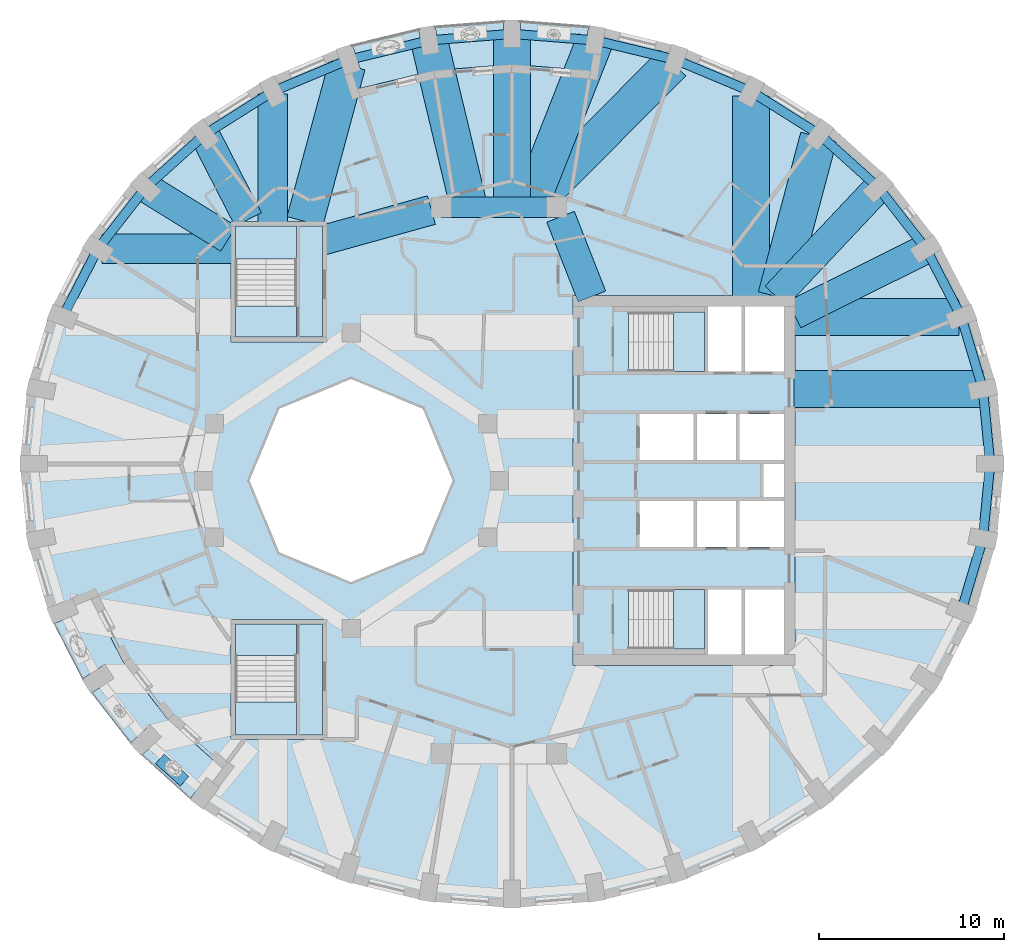
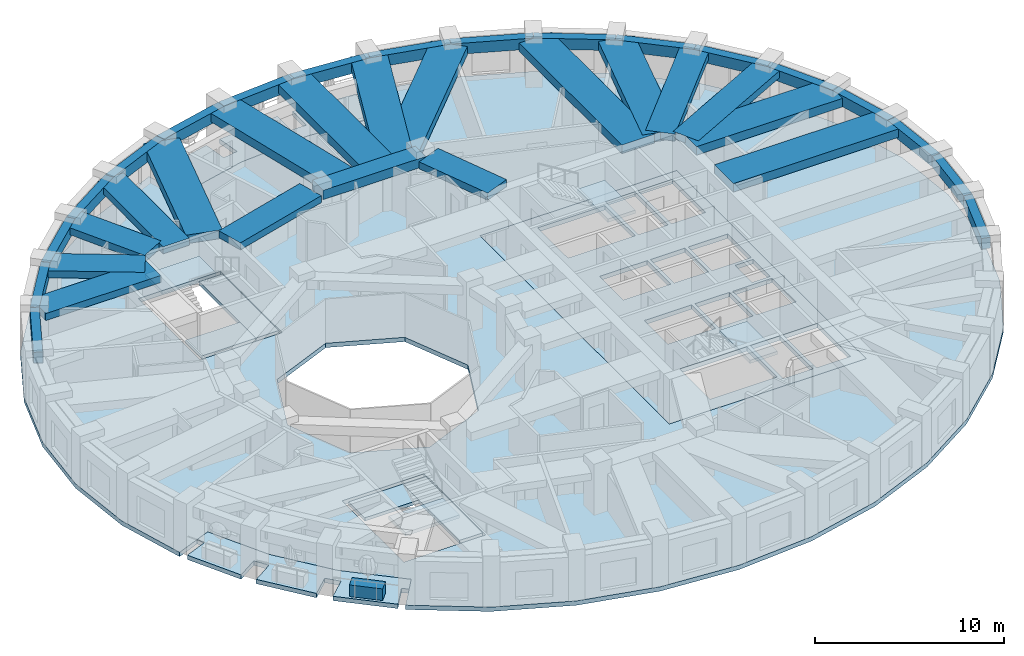
# One storey, part 2 of 12: 36 beams, 12 slabs, 1 wall, 4 elements without a shape of their own.
"""IFC4 building model written with IfcOpenShell, lengths in metres."""

from ifc_helpers import new_model, si_unit, direction, frame, frame_2d, origin, origin_2d, place, context, subcontext, project, spatial, polyline, rectangle, outline, extrude, material, layer, layer_set, constituent, constituent_set, material_profile, profile_set, type_object, element, aggregate, save


model = new_model("IFC4")

# Units and contexts
model_context = context("Model", 3, precision=1e-05, world=origin(), true_north=direction((0.0, 1.0)))
body_context = subcontext(model_context, "Body", "Model", "MODEL_VIEW")
ifc_project = project(units=[si_unit("LENGTHUNIT", "METRE"), si_unit("AREAUNIT", "SQUARE_METRE"), si_unit("VOLUMEUNIT", "CUBIC_METRE"), si_unit("PLANEANGLEUNIT", "RADIAN"), si_unit("MASSUNIT", "GRAM", prefix="KILO")], contexts=[model_context])

# Site, building, storey
site_placement = place(None, origin())
site = spatial("IfcSite", under=ifc_project, at=site_placement, CompositionType="ELEMENT")
building_placement = place(site_placement, origin())
building = spatial("IfcBuilding", under=site, at=building_placement, Name="Taillehof Tower", CompositionType="ELEMENT")
storey_placement = place(building_placement, frame((0.0, 0.0, 225.5)))
storey = spatial("IfcBuildingStorey", under=building, at=storey_placement, Name="L64", CompositionType="ELEMENT", Elevation=225.5)

# Beams
ifc_material_1 = material(Name="Concrete C50/60", Category="concrete")
ifc_material_profile_1 = material_profile(ifc_material_1, rectangle(XDim=1.10009765625, YDim=0.60009765625, at=origin_2d()), Name="RC 1100x600")
ifc_profile_set_1 = profile_set([ifc_material_profile_1], Name="Concrete C50/60")
beam_type_1 = type_object("IfcBeamType", Name="Mid-ring beam C50/60 1100x600", PredefinedType="BEAM", material=ifc_profile_set_1)
beam_1_placement = place(storey_placement, frame((3.125732421875, 14.772216796875, 2.550048828125), z_axis=(-1.0, 0.0, 0.0), x_axis=(0.0, -1.0, 0.0)))
element("IfcBeam", 1, at=beam_1_placement, inside=storey, type_object=beam_type_1, Name="Mid-ring beam MB01", PredefinedType="BEAM", context=body_context, shape_type="SweptSolid", body=[
    extrude(rectangle(XDim=1.10009765625, YDim=0.60009765625, at=origin_2d()), origin(), (0.0, 0.0, 1.0), 6.25146484375),
])
ifc_material_2 = material(Name="Concrete C50/60", Category="concrete")
ifc_material_profile_2 = material_profile(ifc_material_2, rectangle(XDim=1.60009765625, YDim=0.449951171875, at=origin_2d()), Name="RC 1600x450")
ifc_profile_set_2 = profile_set([ifc_material_profile_2], Name="Concrete C50/60")
beam_type_2 = type_object("IfcBeamType", Name="Radial band beam C50/60 1600x450", PredefinedType="BEAM", material=ifc_profile_set_2)
beam_2_placement = place(storey_placement, frame((23.086669921875, 12.52490234375, 2.625), z_axis=(-0.895357082848, -0.445348957778, 0.0), x_axis=(0.445348957778, -0.895357082848, 0.0)))
element("IfcBeam", 2, at=beam_2_placement, inside=storey, type_object=beam_type_2, Name="Radial band beam RB04", PredefinedType="BEAM", context=body_context, shape_type="SweptSolid", body=[
    extrude(rectangle(XDim=1.60009765625, YDim=0.449951171875, at=origin_2d()), origin(), (0.0, 0.0, 1.0), 7.96484375),
])
beam_3_placement = place(storey_placement, frame((20.502197265625, 15.8447265625, 2.625), z_axis=(-0.685451470964, -0.728118315217, 0.0), x_axis=(0.728118315217, -0.685451470964, 0.0)))
element("IfcBeam", 3, at=beam_3_placement, inside=storey, type_object=beam_type_2, Name="Radial band beam RB05", PredefinedType="BEAM", context=body_context, shape_type="SweptSolid", body=[
    extrude(rectangle(XDim=1.60009765625, YDim=0.449951171875, at=origin_2d()), origin(), (0.0, 0.0, 1.0), 8.07373046875),
])
beam_4_placement = place(storey_placement, frame((-12.22509765625, 20.9013671875, 2.625), z_axis=(0.0, -1.0, 0.0), x_axis=(1.0, 0.0, 0.0)))
element("IfcBeam", 4, at=beam_4_placement, inside=storey, type_object=beam_type_2, Name="Radial band beam RB13", PredefinedType="BEAM", context=body_context, shape_type="SweptSolid", body=[
    extrude(rectangle(XDim=1.60009765625, YDim=0.449951171875, at=origin_2d()), origin(), (0.0, 0.0, 1.0), 6.951416015625),
])
beam_5_placement = place(storey_placement, frame((-15.916015625, 18.71044921875, 2.625), z_axis=(0.456360793517, -0.889794822496, 0.0), x_axis=(0.889794822496, 0.456360793517, 0.0)))
element("IfcBeam", 5, at=beam_5_placement, inside=storey, type_object=beam_type_2, Name="Radial band beam RB14", PredefinedType="BEAM", context=body_context, shape_type="SweptSolid", body=[
    extrude(rectangle(XDim=1.60009765625, YDim=0.449951171875, at=origin_2d()), origin(), (0.0, 0.0, 1.0), 5.16455078125),
])
beam_6_placement = place(storey_placement, frame((-19.102294921875, 15.8447265625, 2.625), z_axis=(0.850616081395, -0.525787297366, 0.0), x_axis=(0.525787297366, 0.850616081395, 0.0)))
element("IfcBeam", 6, at=beam_6_placement, inside=storey, type_object=beam_type_2, Name="Radial band beam RB15", PredefinedType="BEAM", context=body_context, shape_type="SweptSolid", body=[
    extrude(rectangle(XDim=1.60009765625, YDim=0.449951171875, at=origin_2d()), origin(), (0.0, 0.0, 1.0), 5.260498046875),
])
beam_7_placement = place(storey_placement, frame((-21.47021484375, 12.52490234375, 2.625), z_axis=(1.0, 0.0, 0.0), x_axis=(0.0, 1.0, 0.0)))
element("IfcBeam", 7, at=beam_7_placement, inside=storey, type_object=beam_type_2, Name="Radial band beam RB16", PredefinedType="BEAM", context=body_context, shape_type="SweptSolid", body=[
    extrude(rectangle(XDim=1.60009765625, YDim=0.449951171875, at=origin_2d()), origin(), (0.0, 0.0, 1.0), 7.020263671875),
])
beam_8_placement = place(storey_placement, frame((3.32666015625, 14.26025390625, 2.625), z_axis=(0.365588707223, -0.930776502255, 0.0), x_axis=(0.930776502255, 0.365588707223, 0.0)))
element("IfcBeam", 8, at=beam_8_placement, inside=storey, type_object=beam_type_2, Name="Inner band beam IB205", PredefinedType="BEAM", context=body_context, shape_type="SweptSolid", body=[
    extrude(rectangle(XDim=1.60009765625, YDim=0.449951171875, at=origin_2d()), origin(), (0.0, 0.0, 1.0), 4.627197265625),
])
beam_9_placement = place(storey_placement, frame((-3.655517578125, 14.624755859375, 2.625), z_axis=(-0.963459369536, -0.267854518821, 0.0), x_axis=(0.267854518821, -0.963459369536, 0.0)))
element("IfcBeam", 9, at=beam_9_placement, inside=storey, type_object=beam_type_2, Name="Inner band beam IB206", PredefinedType="BEAM", context=body_context, shape_type="SweptSolid", body=[
    extrude(rectangle(XDim=1.60009765625, YDim=0.449951171875, at=origin_2d()), origin(), (0.0, 0.0, 1.0), 6.096923828125),
])
ifc_material_3 = material(Name="Concrete C50/60", Category="concrete")
ifc_material_profile_3 = material_profile(ifc_material_3, rectangle(XDim=2.0, YDim=0.550048828125, at=origin_2d()), Name="RC 2000x550")
ifc_profile_set_3 = profile_set([ifc_material_profile_3], Name="Concrete C50/60")
beam_type_3 = type_object("IfcBeamType", Name="Radial band beam C50/60 2000x550", PredefinedType="BEAM", material=ifc_profile_set_3)
beam_10_placement = place(storey_placement, frame((26.1572265625, 4.937255859375, 2.574951171875), z_axis=(-1.0, 0.0, 0.0), x_axis=(0.0, -1.0, 0.0)))
element("IfcBeam", 10, at=beam_10_placement, inside=storey, type_object=beam_type_3, Name="Radial band beam RB02", PredefinedType="BEAM", context=body_context, shape_type="SweptSolid", body=[
    extrude(rectangle(XDim=2.0, YDim=0.550048828125, at=origin_2d()), origin(), (0.0, 0.0, 1.0), 10.207275390625),
])
beam_11_placement = place(storey_placement, frame((24.856201171875, 8.85205078125, 2.574951171875), z_axis=(-1.0, 0.0, 0.0), x_axis=(0.0, -1.0, 0.0)))
element("IfcBeam", 11, at=beam_11_placement, inside=storey, type_object=beam_type_3, Name="Radial band beam RB03", PredefinedType="BEAM", context=body_context, shape_type="SweptSolid", body=[
    extrude(rectangle(XDim=2.0, YDim=0.550048828125, at=origin_2d()), origin(), (0.0, 0.0, 1.0), 8.90625),
])
beam_12_placement = place(storey_placement, frame((17.28076171875, 18.577880859375, 2.574951171875), z_axis=(-0.256969711091, -0.966419457369, 0.0), x_axis=(0.966419457369, -0.256969711091, 0.0)))
element("IfcBeam", 12, at=beam_12_placement, inside=storey, type_object=beam_type_3, Name="Radial band beam RB06", PredefinedType="BEAM", context=body_context, shape_type="SweptSolid", body=[
    extrude(rectangle(XDim=2.0, YDim=0.550048828125, at=origin_2d()), origin(), (0.0, 0.0, 1.0), 8.926025390625),
])
beam_13_placement = place(storey_placement, frame((13.625, 20.797607421875, 2.574951171875), z_axis=(0.0, -1.0, 0.0), x_axis=(1.0, 0.0, 0.0)))
element("IfcBeam", 13, at=beam_13_placement, inside=storey, type_object=beam_type_3, Name="Radial band beam RB07", PredefinedType="BEAM", context=body_context, shape_type="SweptSolid", body=[
    extrude(rectangle(XDim=2.0, YDim=0.550048828125, at=origin_2d()), origin(), (0.0, 0.0, 1.0), 10.84765625),
])
beam_14_placement = place(storey_placement, frame((9.384765625, 22.590087890625, 2.574951171875), z_axis=(-0.704433609475, -0.709769885133, 0.0), x_axis=(0.709769885133, -0.704433609475, 0.0)))
element("IfcBeam", 14, at=beam_14_placement, inside=storey, type_object=beam_type_3, Name="Radial band beam RB08", PredefinedType="BEAM", context=body_context, shape_type="SweptSolid", body=[
    extrude(rectangle(XDim=2.0, YDim=0.550048828125, at=origin_2d()), origin(), (0.0, 0.0, 1.0), 10.79736328125),
])
beam_15_placement = place(storey_placement, frame((5.188720703125, 23.796875, 2.574951171875), z_axis=(-0.367222105753, -0.930133283485, 0.0), x_axis=(0.930133283485, -0.367222105753, 0.0)))
element("IfcBeam", 15, at=beam_15_placement, inside=storey, type_object=beam_type_3, Name="Radial band beam RB09", PredefinedType="BEAM", context=body_context, shape_type="SweptSolid", body=[
    extrude(rectangle(XDim=2.0, YDim=0.550048828125, at=origin_2d()), origin(), (0.0, 0.0, 1.0), 9.70263671875),
])
beam_16_placement = place(storey_placement, frame((0.699951171875, 24.14990234375, 2.574951171875), z_axis=(0.0, -1.0, 0.0), x_axis=(1.0, 0.0, 0.0)))
element("IfcBeam", 16, at=beam_16_placement, inside=storey, type_object=beam_type_3, Name="Radial band beam RB10", PredefinedType="BEAM", context=body_context, shape_type="SweptSolid", body=[
    extrude(rectangle(XDim=2.0, YDim=0.550048828125, at=origin_2d()), origin(), (0.0, 0.0, 1.0), 9.377685546875),
])
beam_17_placement = place(storey_placement, frame((-3.788818359375, 23.796875, 2.574951171875), z_axis=(0.233084395558, -0.972456510363, 0.0), x_axis=(0.972456510363, 0.233084395558, 0.0)))
element("IfcBeam", 17, at=beam_17_placement, inside=storey, type_object=beam_type_3, Name="Radial band beam RB11", PredefinedType="BEAM", context=body_context, shape_type="SweptSolid", body=[
    extrude(rectangle(XDim=2.0, YDim=0.550048828125, at=origin_2d()), origin(), (0.0, 0.0, 1.0), 9.2802734375),
])
beam_18_placement = place(storey_placement, frame((-8.2177734375, 22.464111328125, 2.574951171875), z_axis=(-0.260346436551, -0.965515268121, 0.0), x_axis=(0.965515268121, -0.260346436551, 0.0)))
element("IfcBeam", 18, at=beam_18_placement, inside=storey, type_object=beam_type_3, Name="Radial band beam RB12", PredefinedType="BEAM", context=body_context, shape_type="SweptSolid", body=[
    extrude(rectangle(XDim=2.0, YDim=0.550048828125, at=origin_2d()), origin(), (0.0, 0.0, 1.0), 8.755859375),
])
ifc_material_4 = material(Name="Concrete C50/60", Category="concrete")
ifc_material_profile_4 = material_profile(ifc_material_4, rectangle(XDim=0.5, YDim=0.699951171875, at=origin_2d()), Name="RC 500x700")
ifc_profile_set_4 = profile_set([ifc_material_profile_4], Name="Concrete C50/60")
beam_type_4 = type_object("IfcBeamType", Name="Spandrel beam C50/60 500x700", PredefinedType="SPANDREL", material=ifc_profile_set_4)
beam_19_placement = place(storey_placement, frame((26.550048828125, 0.89990234375, 2.5), z_axis=(-0.096839674059, 0.995299993735, 0.0), x_axis=(-0.995299993735, -0.096839674059, 0.0)))
element("IfcBeam", 19, at=beam_19_placement, inside=storey, type_object=beam_type_4, Name="Spandrel beam SB01", PredefinedType="SPANDREL", context=body_context, shape_type="SweptSolid", body=[
    extrude(rectangle(XDim=0.5, YDim=0.699951171875, at=origin_2d()), origin(), (0.0, 0.0, 1.0), 4.056396484375),
])
beam_20_placement = place(storey_placement, frame((26.1572265625, 4.937255859375, 2.5), z_axis=(-0.285510458946, 0.9583755933, 0.0), x_axis=(-0.9583755933, -0.285510458946, 0.0)))
element("IfcBeam", 20, at=beam_20_placement, inside=storey, type_object=beam_type_4, Name="Spandrel beam SB02", PredefinedType="SPANDREL", context=body_context, shape_type="SweptSolid", body=[
    extrude(rectangle(XDim=0.5, YDim=0.699951171875, at=origin_2d()), origin(), (0.0, 0.0, 1.0), 4.084716796875),
])
beam_21_placement = place(storey_placement, frame((24.990966796875, 8.85205078125, 2.5), z_axis=(-0.460289604274, 0.887768821371, 0.0), x_axis=(-0.887768821371, -0.460289604274, 0.0)))
element("IfcBeam", 21, at=beam_21_placement, inside=storey, type_object=beam_type_4, Name="Spandrel beam SB03", PredefinedType="SPANDREL", context=body_context, shape_type="SweptSolid", body=[
    extrude(rectangle(XDim=0.5, YDim=0.699951171875, at=origin_2d()), origin(), (0.0, 0.0, 1.0), 4.13720703125),
])
beam_22_placement = place(storey_placement, frame((23.086669921875, 12.52490234375, 2.5), z_axis=(-0.614294081938, 0.789077170432, 0.0), x_axis=(-0.789077170432, -0.614294081938, 0.0)))
element("IfcBeam", 22, at=beam_22_placement, inside=storey, type_object=beam_type_4, Name="Spandrel beam SB04", PredefinedType="SPANDREL", context=body_context, shape_type="SweptSolid", body=[
    extrude(rectangle(XDim=0.5, YDim=0.699951171875, at=origin_2d()), origin(), (0.0, 0.0, 1.0), 4.207275390625),
])
beam_23_placement = place(storey_placement, frame((20.502197265625, 15.8447265625, 2.5), z_axis=(-0.743492416006, 0.668744366213, 0.0), x_axis=(-0.668744366213, -0.743492416006, 0.0)))
element("IfcBeam", 23, at=beam_23_placement, inside=storey, type_object=beam_type_4, Name="Spandrel beam SB05", PredefinedType="SPANDREL", context=body_context, shape_type="SweptSolid", body=[
    extrude(rectangle(XDim=0.5, YDim=0.699951171875, at=origin_2d()), origin(), (0.0, 0.0, 1.0), 4.28515625),
])
beam_24_placement = place(storey_placement, frame((17.316162109375, 18.71044921875, 2.5), z_axis=(-0.846166475687, 0.532918657417, 0.0), x_axis=(-0.532918657417, -0.846166475687, 0.0)))
element("IfcBeam", 24, at=beam_24_placement, inside=storey, type_object=beam_type_4, Name="Spandrel beam SB06", PredefinedType="SPANDREL", context=body_context, shape_type="SweptSolid", body=[
    extrude(rectangle(XDim=0.5, YDim=0.699951171875, at=origin_2d()), origin(), (0.0, 0.0, 1.0), 4.3623046875),
])
beam_25_placement = place(storey_placement, frame((13.625, 21.03515625, 2.5), z_axis=(-0.92218550199, 0.386747850569, 0.0), x_axis=(-0.386747850569, -0.92218550199, 0.0)))
element("IfcBeam", 25, at=beam_25_placement, inside=storey, type_object=beam_type_4, Name="Spandrel beam SB07", PredefinedType="SPANDREL", context=body_context, shape_type="SweptSolid", body=[
    extrude(rectangle(XDim=0.5, YDim=0.699951171875, at=origin_2d()), origin(), (0.0, 0.0, 1.0), 4.42822265625),
])
beam_26_placement = place(storey_placement, frame((9.541259765625, 22.747802734375, 2.5), z_axis=(-0.972160640613, 0.234315361943, 0.0), x_axis=(-0.234315361943, -0.972160640613, 0.0)))
element("IfcBeam", 26, at=beam_26_placement, inside=storey, type_object=beam_type_4, Name="Spandrel beam SB08", PredefinedType="SPANDREL", context=body_context, shape_type="SweptSolid", body=[
    extrude(rectangle(XDim=0.5, YDim=0.699951171875, at=origin_2d()), origin(), (0.0, 0.0, 1.0), 4.477294921875),
])
for number, where, z_axis, x_axis, name in (
    (27, (5.188720703125, 23.796875, 2.5), (-0.996921613963, 0.078404691275, 0.0), (-0.078404691275, -0.996921613963, 0.0), "Spandrel beam SB09"),
    (28, (0.699951171875, 24.14990234375, 2.5), (-0.996921613963, -0.078404691275, 0.0), (0.078404691275, -0.996921613963, 0.0), "Spandrel beam SB10"),
):
    element("IfcBeam", number, at=place(storey_placement, frame(where, z_axis=z_axis, x_axis=x_axis)), inside=storey, type_object=beam_type_4, Name=name, PredefinedType="SPANDREL", context=body_context, shape_type="SweptSolid", body=[
        extrude(rectangle(XDim=0.5, YDim=0.699951171875, at=origin_2d()), origin(), (0.0, 0.0, 1.0), 4.502685546875),
    ])
beam_27_placement = place(storey_placement, frame((-3.788818359375, 23.796875, 2.5), z_axis=(-0.972157646478, -0.234327784087, 0.0), x_axis=(0.234327784087, -0.972157646478, 0.0)))
element("IfcBeam", 29, at=beam_27_placement, inside=storey, type_object=beam_type_4, Name="Spandrel beam SB11", PredefinedType="SPANDREL", context=body_context, shape_type="SweptSolid", body=[
    extrude(rectangle(XDim=0.5, YDim=0.699951171875, at=origin_2d()), origin(), (0.0, 0.0, 1.0), 4.47705078125),
])
beam_28_placement = place(storey_placement, frame((-8.14111328125, 22.747802734375, 2.5), z_axis=(-0.922193747603, -0.386728188632, 0.0), x_axis=(0.386728188632, -0.922193747603, 0.0)))
element("IfcBeam", 30, at=beam_28_placement, inside=storey, type_object=beam_type_4, Name="Spandrel beam SB12", PredefinedType="SPANDREL", context=body_context, shape_type="SweptSolid", body=[
    extrude(rectangle(XDim=0.5, YDim=0.699951171875, at=origin_2d()), origin(), (0.0, 0.0, 1.0), 4.428466796875),
])
beam_29_placement = place(storey_placement, frame((-12.22509765625, 21.03515625, 2.5), z_axis=(-0.846150579775, -0.532943896059, 0.0), x_axis=(0.532943896059, -0.846150579775, 0.0)))
element("IfcBeam", 31, at=beam_29_placement, inside=storey, type_object=beam_type_4, Name="Spandrel beam SB13", PredefinedType="SPANDREL", context=body_context, shape_type="SweptSolid", body=[
    extrude(rectangle(XDim=0.5, YDim=0.699951171875, at=origin_2d()), origin(), (0.0, 0.0, 1.0), 4.362060546875),
])
beam_30_placement = place(storey_placement, frame((-15.916015625, 18.71044921875, 2.5), z_axis=(-0.743517893617, -0.668716039789, 0.0), x_axis=(0.668716039789, -0.743517893617, 0.0)))
element("IfcBeam", 32, at=beam_30_placement, inside=storey, type_object=beam_type_4, Name="Spandrel beam SB14", PredefinedType="SPANDREL", context=body_context, shape_type="SweptSolid", body=[
    extrude(rectangle(XDim=0.5, YDim=0.699951171875, at=origin_2d()), origin(), (0.0, 0.0, 1.0), 4.285400390625),
])
beam_31_placement = place(storey_placement, frame((-19.102294921875, 15.8447265625, 2.5), z_axis=(-0.614294081938, -0.789077170432, 0.0), x_axis=(0.789077170432, -0.614294081938, 0.0)))
element("IfcBeam", 33, at=beam_31_placement, inside=storey, type_object=beam_type_4, Name="Spandrel beam SB15", PredefinedType="SPANDREL", context=body_context, shape_type="SweptSolid", body=[
    extrude(rectangle(XDim=0.5, YDim=0.699951171875, at=origin_2d()), origin(), (0.0, 0.0, 1.0), 4.207275390625),
])
beam_32_placement = place(storey_placement, frame((-21.686767578125, 12.52490234375, 2.5), z_axis=(-0.460289604274, -0.887768821371, 0.0), x_axis=(0.887768821371, -0.460289604274, 0.0)))
element("IfcBeam", 34, at=beam_32_placement, inside=storey, type_object=beam_type_4, Name="Spandrel beam SB16", PredefinedType="SPANDREL", context=body_context, shape_type="SweptSolid", body=[
    extrude(rectangle(XDim=0.5, YDim=0.699951171875, at=origin_2d()), origin(), (0.0, 0.0, 1.0), 4.13720703125),
])
beam_33_placement = place(storey_placement, frame((24.990966796875, -7.052001953125, 2.5), z_axis=(0.285510458946, 0.9583755933, 0.0), x_axis=(-0.9583755933, 0.285510458946, 0.0)))
element("IfcBeam", 35, at=beam_33_placement, inside=storey, type_object=beam_type_4, Name="Spandrel beam SB35", PredefinedType="SPANDREL", context=body_context, shape_type="SweptSolid", body=[
    extrude(rectangle(XDim=0.5, YDim=0.699951171875, at=origin_2d()), origin(), (0.0, 0.0, 1.0), 4.084716796875),
])
beam_34_placement = place(storey_placement, frame((26.1572265625, -3.13720703125, 2.5), z_axis=(0.096845475428, 0.995299429262, 0.0), x_axis=(-0.995299429262, 0.096845475428, 0.0)))
element("IfcBeam", 36, at=beam_34_placement, inside=storey, type_object=beam_type_4, Name="Spandrel beam SB36", PredefinedType="SPANDREL", context=body_context, shape_type="SweptSolid", body=[
    extrude(rectangle(XDim=0.5, YDim=0.699951171875, at=origin_2d()), origin(), (0.0, 0.0, 1.0), 4.05615234375),
])

# Slabs
ifc_material_5 = material(Name="Concrete C40/50", Category="concrete")
ifc_layer_1 = layer(ifc_material_5, 0.280029296875)
ifc_layer_set_1 = layer_set([ifc_layer_1], Name="Balcony slab 280")
slab_type_1 = type_object("IfcSlabType", Name="Balcony slab 280", PredefinedType="USERDEFINED", material=ifc_layer_set_1)
slab_1_placement = place(storey_placement, frame((0.0, 0.0, -0.280029296875)))
element("IfcSlab", 37, at=slab_1_placement, inside=storey, type_object=slab_type_1, Name="Balcony L64 pocket 2", ObjectType="BALCONY", PredefinedType="USERDEFINED", context=body_context, shape_type="SweptSolid", body=[
    extrude(outline(polyline([(-7.64892578125, 21.17236328125), (-7.929931640625, 22.02783203125), (-7.479736328125, 22.17578125), (-7.935791015625, 23.564208984375), (-4.345458984375, 24.432373046875), (-4.115478515625, 22.9853515625), (-3.2265625, 23.126708984375), (-3.45654296875, 24.572021484375), (0.25, 24.864501953125), (0.25, 23.39990234375), (1.14990234375, 23.39990234375), (1.14990234375, 24.864501953125), (4.8564453125, 24.572021484375), (4.62646484375, 23.126708984375), (5.08349609375, 23.05419921875), (4.94189453125, 22.165283203125), (0.699951171875, 22.5), (-3.5419921875, 22.165283203125), (-7.64892578125, 21.17236328125)])), origin(), (0.0, 0.0, 1.0), 0.280029296875),
])
slab_2_placement = place(storey_placement, frame((0.0, 0.0, -0.280029296875)))
element("IfcSlab", 38, at=slab_2_placement, inside=storey, type_object=slab_type_1, Name="Balcony L64 pocket 6", ObjectType="BALCONY", PredefinedType="USERDEFINED", context=body_context, shape_type="SweptSolid", body=[
    extrude(outline(polyline([(-14.949462890625, -15.571533203125), (-15.493408203125, -16.289794921875), (-15.822021484375, -16.041015625), (-16.70556640625, -17.207763671875), (-19.31298828125, -14.855224609375), (-18.24658203125, -13.863525390625), (-18.859619140625, -13.20458984375), (-19.93017578125, -14.2001953125), (-22.0380859375, -11.484130859375), (-20.8125, -10.69970703125), (-21.297607421875, -9.941650390625), (-22.528076171875, -10.72900390625), (-24.076416015625, -7.73291015625), (-22.72705078125, -7.188720703125), (-22.9052734375, -6.74755859375), (-22.070068359375, -6.41064453125), (-20.314697265625, -9.806396484375), (-17.91943359375, -12.892578125), (-14.949462890625, -15.571533203125)])), origin(), (0.0, 0.0, 1.0), 0.280029296875),
])
ifc_material_6 = material(Name="Concrete C40/50", Category="concrete")
ifc_layer_2 = layer(ifc_material_6, 0.280029296875)
ifc_layer_set_2 = layer_set([ifc_layer_2], Name="Core floor slab C40/50 280")
slab_type_2 = type_object("IfcSlabType", Name="Core floor slab C40/50 280", PredefinedType="FLOOR", material=ifc_layer_set_2)
slab_3_placement = place(storey_placement, frame((0.0, 0.0, -0.280029296875)))
element("IfcSlab", 39, at=slab_3_placement, inside=storey, type_object=slab_type_2, Name="Core floor L64", PredefinedType="FLOOR", context=body_context, shape_type="SweptSolid", body=[
    extrude(outline(polyline([(4.0, -10.0), (4.0, 10.0), (16.0, 10.0), (16.0, -10.0), (4.0, -10.0)]), holes=[polyline([(11.10009765625, -9.10009765625), (11.10009765625, -5.89990234375), (7.00048828125, -5.89990234375), (7.00048828125, -9.10009765625), (11.10009765625, -9.10009765625)]), polyline([(10.5, -3.60009765625), (10.5, -1.10009765625), (7.60009765625, -1.10009765625), (7.60009765625, -3.60009765625), (10.5, -3.60009765625)]), polyline([(12.800048828125, -3.60009765625), (12.800048828125, -1.10009765625), (10.699951171875, -1.10009765625), (10.699951171875, -3.60009765625), (12.800048828125, -3.60009765625)]), polyline([(10.5, 3.60009765625), (7.60009765625, 3.60009765625), (7.60009765625, 1.10009765625), (10.5, 1.10009765625), (10.5, 3.60009765625)]), polyline([(12.800048828125, 1.10009765625), (12.800048828125, 3.60009765625), (10.699951171875, 3.60009765625), (10.699951171875, 1.10009765625), (12.800048828125, 1.10009765625)]), polyline([(11.10009765625, 5.89990234375), (11.10009765625, 9.10009765625), (7.00048828125, 9.10009765625), (7.00048828125, 5.89990234375), (11.10009765625, 5.89990234375)]), polyline([(13.10009765625, 9.39990234375), (11.300048828125, 9.39990234375), (11.300048828125, 5.89990234375), (13.10009765625, 5.89990234375), (13.10009765625, 9.39990234375)]), polyline([(13.10009765625, -9.39990234375), (13.10009765625, -5.89990234375), (11.300048828125, -5.89990234375), (11.300048828125, -9.39990234375), (13.10009765625, -9.39990234375)]), polyline([(15.39990234375, -9.39990234375), (15.39990234375, -5.89990234375), (13.300048828125, -5.89990234375), (13.300048828125, -9.39990234375), (15.39990234375, -9.39990234375)]), polyline([(15.39990234375, -3.60009765625), (15.39990234375, -1.10009765625), (13.0, -1.10009765625), (13.0, -3.60009765625), (15.39990234375, -3.60009765625)]), polyline([(15.39990234375, -0.89990234375), (15.39990234375, 0.89990234375), (14.300048828125, 0.89990234375), (14.300048828125, -0.89990234375), (15.39990234375, -0.89990234375)]), polyline([(15.39990234375, 1.10009765625), (15.39990234375, 3.60009765625), (13.0, 3.60009765625), (13.0, 1.10009765625), (15.39990234375, 1.10009765625)]), polyline([(15.39990234375, 5.89990234375), (15.39990234375, 9.39990234375), (13.300048828125, 9.39990234375), (13.300048828125, 5.89990234375), (15.39990234375, 5.89990234375)])]), origin(), (0.0, 0.0, 1.0), 0.280029296875),
])
ifc_material_7 = material(Name="Concrete C40/50", Category="concrete")
ifc_layer_3 = layer(ifc_material_7, 0.280029296875)
ifc_layer_set_3 = layer_set([ifc_layer_3], Name="Floor slab 280")
slab_type_3 = type_object("IfcSlabType", Name="Floor slab 280", PredefinedType="FLOOR", material=ifc_layer_set_3)
slab_4_placement = place(storey_placement, frame((0.0, 0.0, -0.280029296875)))
element("IfcSlab", 40, at=slab_4_placement, inside=storey, type_object=slab_type_3, Name="Floor slab L64", PredefinedType="FLOOR", context=body_context, shape_type="SweptSolid", body=[
    extrude(outline(polyline([(27.300048828125, 0.89990234375), (26.89599609375, 5.067626953125), (25.69580078125, 9.1083984375), (23.736328125, 12.89990234375), (21.076904296875, 16.326904296875), (17.798095703125, 19.28515625), (14.0, 21.6845703125), (9.797607421875, 23.45263671875), (5.319091796875, 24.535400390625), (4.94189453125, 22.165283203125), (0.699951171875, 22.5), (-3.5419921875, 22.165283203125), (-7.64892578125, 21.17236328125), (-8.397705078125, 23.45263671875), (-12.60009765625, 21.6845703125), (-16.398193359375, 19.28515625), (-19.6767578125, 16.326904296875), (-22.336181640625, 12.89990234375), (-24.2958984375, 9.1083984375), (-25.495849609375, 5.067626953125), (-25.89990234375, 0.89990234375), (-25.495849609375, -3.267578125), (-24.2958984375, -7.30859375), (-22.070068359375, -6.41064453125), (-20.314697265625, -9.806396484375), (-17.919189453125, -12.892578125), (-14.949462890625, -15.571533203125), (-16.398193359375, -17.485107421875), (-12.60009765625, -19.884521484375), (-8.397705078125, -21.652587890625), (-3.9189453125, -22.7353515625), (0.699951171875, -23.10009765625), (5.319091796875, -22.7353515625), (9.797607421875, -21.652587890625), (14.0, -19.884521484375), (17.798095703125, -17.485107421875), (21.076904296875, -14.52685546875), (23.736328125, -11.10009765625), (25.69580078125, -7.30859375), (26.89599609375, -3.267578125), (27.300048828125, 0.89990234375)]), holes=[polyline([(-14.5, -7.5), (-9.5, -7.5), (-9.5, -14.0), (-14.5, -14.0), (-14.5, -7.5)]), polyline([(-8.0, -5.5), (-11.88916015625, -3.88916015625), (-13.5, 0.0), (-11.88916015625, 3.88916015625), (-8.0, 5.5), (-4.11083984375, 3.88916015625), (-2.5, 0.0), (-4.11083984375, -3.88916015625), (-8.0, -5.5)]), polyline([(16.0, 10.0), (16.0, -10.0), (4.0, -10.0), (4.0, 10.0), (16.0, 10.0)]), polyline([(-14.5, 14.0), (-9.5, 14.0), (-9.5, 7.5), (-14.5, 7.5), (-14.5, 14.0)])]), origin(), (0.0, 0.0, 1.0), 0.280029296875),
])

# Stair, slab
ifc_material_8 = material(Name="Concrete C40/50", Category="concrete")
stair_type = type_object("IfcStairType", Name="Exit stair half-turn", PredefinedType="HALF_TURN_STAIR", material=ifc_material_8)
stair_1_placement = place(storey_placement, origin())
stair_1 = element("IfcStair", 41, at=stair_1_placement, inside=storey, type_object=stair_type, Name="Exit stair S1", PredefinedType="HALF_TURN_STAIR")
ifc_material_9 = material(Name="Concrete C40/50", Category="concrete")
ifc_layer_4 = layer(ifc_material_9, 0.2099609375)
ifc_layer_set_4 = layer_set([ifc_layer_4], Name="Stair landing C40/50 210")
slab_type_4 = type_object("IfcSlabType", Name="Stair landing C40/50 210", PredefinedType="LANDING", material=ifc_layer_set_4)
slab_5_placement = place(storey_placement, frame((0.0, 0.0, 1.43994140625)))
slab_5 = element("IfcSlab", 42, at=slab_5_placement, type_object=slab_type_4, Name="S1 landing 1", PredefinedType="LANDING", context=body_context, shape_type="SweptSolid", body=[
    extrude(outline(polyline([(9.429931640625, 5.89990234375), (11.10009765625, 5.89990234375), (11.10009765625, 9.10009765625), (9.429931640625, 9.10009765625), (9.429931640625, 5.89990234375)])), origin(), (0.0, 0.0, 1.0), 0.2099609375),
])
aggregate(stair_1, [slab_5])

stair_2_placement = place(storey_placement, origin())
stair_2 = element("IfcStair", 43, at=stair_2_placement, inside=storey, type_object=stair_type, Name="Exit stair S2", PredefinedType="HALF_TURN_STAIR")
slab_6_placement = place(storey_placement, frame((0.0, 0.0, 1.43994140625)))
slab_6 = element("IfcSlab", 44, at=slab_6_placement, type_object=slab_type_4, Name="S2 landing 1", PredefinedType="LANDING", context=body_context, shape_type="SweptSolid", body=[
    extrude(outline(polyline([(9.429931640625, -5.89990234375), (11.10009765625, -5.89990234375), (11.10009765625, -9.10009765625), (9.429931640625, -9.10009765625), (9.429931640625, -5.89990234375)])), origin(), (0.0, 0.0, 1.0), 0.2099609375),
])
aggregate(stair_2, [slab_6])

stair_3_placement = place(storey_placement, origin())
stair_3 = element("IfcStair", 45, at=stair_3_placement, inside=storey, type_object=stair_type, Name="Exit stair S3", PredefinedType="HALF_TURN_STAIR")
slab_7_placement = place(storey_placement, frame((0.0, 0.0, 1.43994140625)))
slab_7 = element("IfcSlab", 46, at=slab_7_placement, type_object=slab_type_4, Name="S3 landing 1", PredefinedType="LANDING", context=body_context, shape_type="SweptSolid", body=[
    extrude(outline(polyline([(-14.25, 11.969970703125), (-14.25, 13.75), (-10.949951171875, 13.75), (-10.949951171875, 11.969970703125), (-14.25, 11.969970703125)])), origin(), (0.0, 0.0, 1.0), 0.2099609375),
])
aggregate(stair_3, [slab_7])

stair_4_placement = place(storey_placement, origin())
stair_4 = element("IfcStair", 47, at=stair_4_placement, inside=storey, type_object=stair_type, Name="Exit stair S4", PredefinedType="HALF_TURN_STAIR")
slab_8_placement = place(storey_placement, frame((0.0, 0.0, 1.43994140625)))
slab_8 = element("IfcSlab", 48, at=slab_8_placement, type_object=slab_type_4, Name="S4 landing 1", PredefinedType="LANDING", context=body_context, shape_type="SweptSolid", body=[
    extrude(outline(polyline([(-14.25, -11.969970703125), (-14.25, -13.75), (-10.949951171875, -13.75), (-10.949951171875, -11.969970703125), (-14.25, -11.969970703125)])), origin(), (0.0, 0.0, 1.0), 0.2099609375),
])
aggregate(stair_4, [slab_8])

# Slabs
slab_9_placement = place(storey_placement, frame((0.0, 0.0, -0.2099609375)))
element("IfcSlab", 49, at=slab_9_placement, inside=storey, type_object=slab_type_4, Name="Stair S3 floor landing", PredefinedType="LANDING", context=body_context, shape_type="SweptSolid", body=[
    extrude(outline(polyline([(-14.25, 7.75), (-14.25, 9.449951171875), (-10.949951171875, 9.449951171875), (-10.949951171875, 7.75), (-14.25, 7.75)])), origin(), (0.0, 0.0, 1.0), 0.2099609375),
])
slab_10_placement = place(storey_placement, frame((0.0, 0.0, -0.2099609375)))
element("IfcSlab", 50, at=slab_10_placement, inside=storey, type_object=slab_type_4, Name="Stair lobby S3 floor", PredefinedType="LANDING", context=body_context, shape_type="SweptSolid", body=[
    extrude(outline(polyline([(-10.949951171875, 7.75), (-9.550048828125, 7.75), (-9.550048828125, 13.75), (-10.949951171875, 13.75), (-10.949951171875, 7.75)])), origin(), (0.0, 0.0, 1.0), 0.2099609375),
])
slab_11_placement = place(storey_placement, frame((0.0, 0.0, -0.2099609375)))
element("IfcSlab", 51, at=slab_11_placement, inside=storey, type_object=slab_type_4, Name="Stair S4 floor landing", PredefinedType="LANDING", context=body_context, shape_type="SweptSolid", body=[
    extrude(outline(polyline([(-14.25, -7.75), (-14.25, -9.449951171875), (-10.949951171875, -9.449951171875), (-10.949951171875, -7.75), (-14.25, -7.75)])), origin(), (0.0, 0.0, 1.0), 0.2099609375),
])
slab_12_placement = place(storey_placement, frame((0.0, 0.0, -0.2099609375)))
element("IfcSlab", 52, at=slab_12_placement, inside=storey, type_object=slab_type_4, Name="Stair lobby S4 floor", PredefinedType="LANDING", context=body_context, shape_type="SweptSolid", body=[
    extrude(outline(polyline([(-10.949951171875, -13.75), (-9.550048828125, -13.75), (-9.550048828125, -7.75), (-10.949951171875, -7.75), (-10.949951171875, -13.75)])), origin(), (0.0, 0.0, 1.0), 0.2099609375),
])

# Wall
ifc_material_10 = material(Name="Concrete C30/37 precast", Category="concrete")
ifc_constituent_1 = constituent(ifc_material_10, Name="Structure", Category="concrete")
ifc_material_11 = material(Name="Insulated lining")
ifc_constituent_2 = constituent(ifc_material_11, Name="Lining")
ifc_constituent_set = constituent_set(constituents=[ifc_constituent_1, ifc_constituent_2], Name="Planter trough 700x750")
wall_type = type_object("IfcWallType", Name="Planter trough 700x750", PredefinedType="USERDEFINED", material=ifc_constituent_set)
wall_placement = place(storey_placement, frame((-18.337890625, -15.051025390625, 0.0), z_axis=(0.0, 0.0, 1.0), x_axis=(0.743422275143, -0.668822338758, 0.0)))
element("IfcWall", 53, at=wall_placement, inside=storey, type_object=wall_type, Name="Planter L64 bay 23", ObjectType="PLANTER", PredefinedType="USERDEFINED", context=body_context, shape_type="SweptSolid", body=[
    extrude(rectangle(XDim=1.800048828125, YDim=0.699951171875, at=frame_2d((0.89990234375, 0.0))), origin(), (0.0, 0.0, 1.0), 0.75),
])

save(model, "model.ifc")
